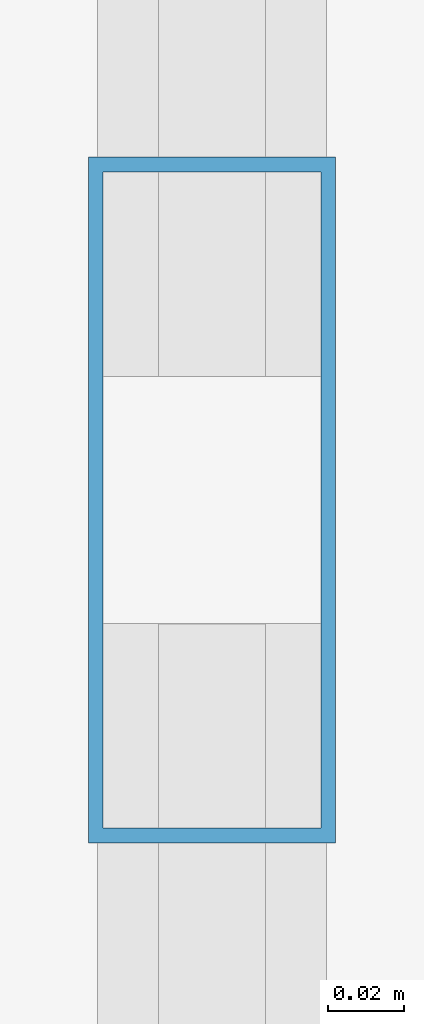
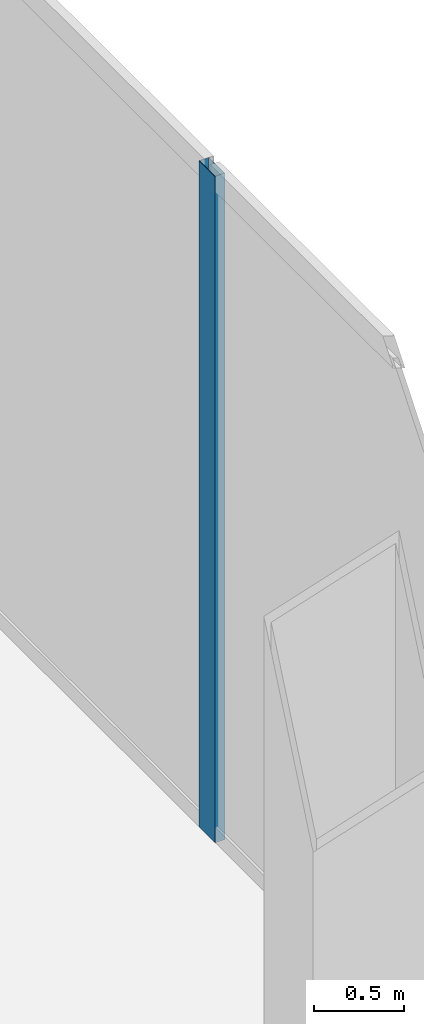
# One storey, part 23 of 58: 1 member, 1 element without a shape of its own.
"""IFC4 building model written with IfcOpenShell, lengths in metres."""

from ifc_helpers import new_model, si_unit, direction, frame, origin, origin_2d, place, context, subcontext, project, spatial, hollow_rectangle, extrude, source, transform, mapped, material, layer, layer_set, material_profile, profile_set, type_object, element, aggregate, save


model = new_model("IFC4")

# Units and contexts
model_context = context("Model", 3, precision=1e-05, world=origin(), true_north=direction((0.0, 1.0)))
body_context = subcontext(model_context, "Body", "Model", "MODEL_VIEW")
ifc_project = project(units=[si_unit("LENGTHUNIT", "METRE"), si_unit("AREAUNIT", "SQUARE_METRE"), si_unit("VOLUMEUNIT", "CUBIC_METRE"), si_unit("PLANEANGLEUNIT", "RADIAN"), si_unit("MASSUNIT", "GRAM", prefix="KILO"), si_unit("THERMODYNAMICTEMPERATUREUNIT", "KELVIN"), si_unit("POWERUNIT", "WATT")], contexts=[model_context])

# Site, building, storey
site_placement = place(None, origin())
site = spatial("IfcSite", under=ifc_project, at=site_placement, CompositionType="ELEMENT")
building_placement = place(site_placement, origin())
building = spatial("IfcBuilding", under=site, at=building_placement, Name="Yunzhuo Pagoda Commons", CompositionType="ELEMENT")
storey_placement = place(building_placement, origin())
storey = spatial("IfcBuildingStorey", under=building, at=storey_placement, Name="L01", CompositionType="ELEMENT", Elevation=0.0)

# Curtain wall, member
ifc_material = material(Name="Anodized aluminium 6063-T6", Category="aluminium")
ifc_layer = layer(ifc_material, 0.179931640625)
ifc_layer_set = layer_set([ifc_layer], Name="Anodized aluminium 6063-T6")
curtain_wall_type = type_object("IfcCurtainWallType", Name="CW-POD Waterfront Podium Curtain Wall", PredefinedType="NOTDEFINED", material=ifc_layer_set)
curtain_wall_placement = place(storey_placement, origin())
curtain_wall = element("IfcCurtainWall", 1, at=curtain_wall_placement, inside=storey, type_object=curtain_wall_type, Name="L01 curtain wall CW-L01-E2", PredefinedType="NOTDEFINED")
ifc_material_profile = material_profile(ifc_material, hollow_rectangle(XDim=0.06494140625, YDim=0.179931640625, WallThickness=0.00390625, at=origin_2d()), Name="Anodized aluminium 6063-T6")
ifc_profile_set = profile_set([ifc_material_profile], Name="Anodized aluminium 6063-T6")
member_type = type_object("IfcMemberType", Name="CW-POD-M Mullion RHS 180x65x4", PredefinedType="MULLION", material=ifc_profile_set)
shared_shape = source(origin(), body_context, "Body", "SweptSolid", [
    extrude(hollow_rectangle(XDim=0.06494140625, YDim=0.179931640625, WallThickness=0.00390625, at=origin_2d()), origin(), (0.0, 0.0, 1.0), 4.520263671875),
])
member_placement = place(storey_placement, frame((91.919921875, 28.933349609375, 0.0), z_axis=(0.0, 0.0, 1.0), x_axis=(-1.0, 0.0, 0.0)))
member = element("IfcMember", 2, at=member_placement, type_object=member_type, Name="CW mullion 2", PredefinedType="MULLION", context=body_context, shape_type="MappedRepresentation", body=[
    mapped(shared_shape, transform((0.0, 0.0, 0.0), scale=1.0)),
])
aggregate(curtain_wall, [member])

save(model, "model.ifc")
